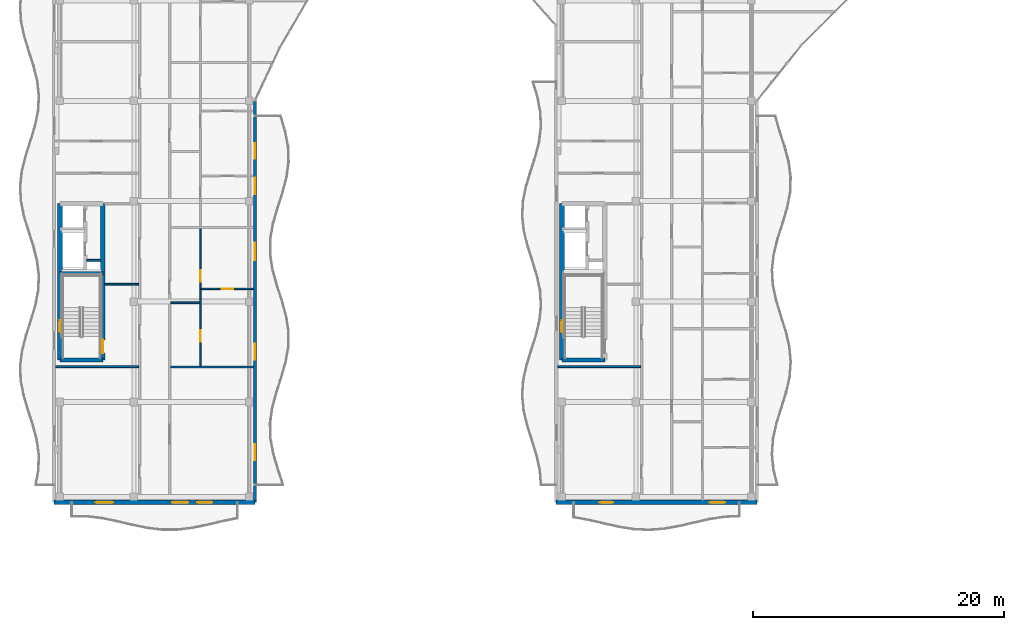
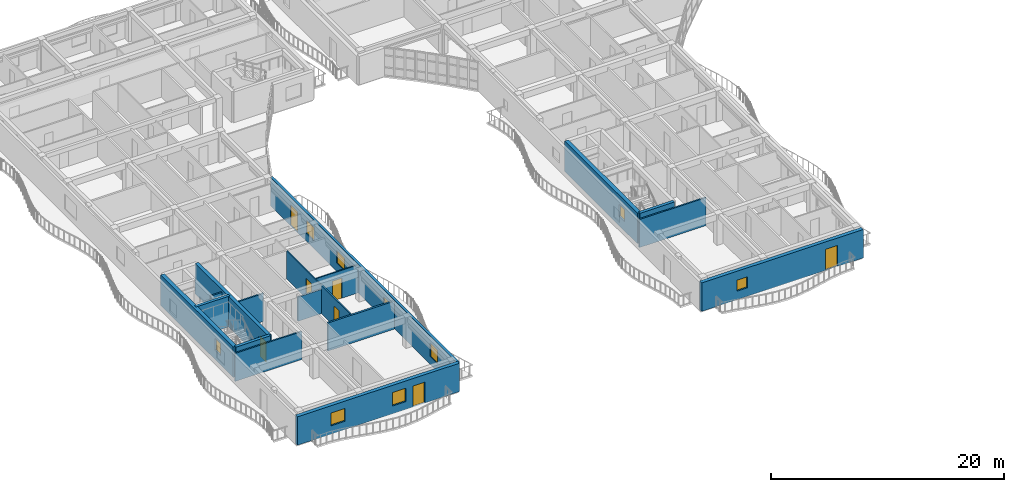
# One storey, part 36 of 79: 17 walls, 9 windows, 7 doors, 16 openings.
"""IFC4 building model written with IfcOpenShell, lengths in metres."""

from ifc_helpers import new_model, si_unit, direction, frame, frame_2d, origin, place, context, subcontext, project, spatial, rectangle, extrude, material, layer, layer_set, type_object, element, fill, save


model = new_model("IFC4")

# Units and contexts
model_context = context("Model", 3, precision=1e-05, world=origin(), true_north=direction((0.0, 1.0)))
body_context = subcontext(model_context, "Body", "Model", "MODEL_VIEW")
ifc_project = project(units=[si_unit("LENGTHUNIT", "METRE"), si_unit("AREAUNIT", "SQUARE_METRE"), si_unit("VOLUMEUNIT", "CUBIC_METRE"), si_unit("PLANEANGLEUNIT", "RADIAN"), si_unit("MASSUNIT", "GRAM", prefix="KILO")], contexts=[model_context])

# Site, building, storey
site_placement = place(None, origin())
site = spatial("IfcSite", under=ifc_project, at=site_placement, CompositionType="ELEMENT")
building_placement = place(site_placement, origin())
building = spatial("IfcBuilding", under=site, at=building_placement, Name="Keldmere Railside Commons", CompositionType="ELEMENT")
storey_placement = place(building_placement, frame((0.0, 0.0, 10.56005859375)))
storey = spatial("IfcBuildingStorey", under=building, at=storey_placement, Name="L03", CompositionType="ELEMENT", Elevation=10.56005859375)

# Wall
ifc_material_1 = material(Name="Acoustic Gypsum Board Partition", Category="gypsum")
ifc_layer_1 = layer(ifc_material_1, 0.179931640625, Name="Acoustic Demising Partition 180")
ifc_layer_set_1 = layer_set([ifc_layer_1], Name="Acoustic Gypsum Board Partition")
wall_type_1 = type_object("IfcWallType", Name="Acoustic Demising Partition 180", PredefinedType="PARTITIONING", material=ifc_layer_set_1)
wall_1_placement = place(storey_placement, frame((17.280029296875, 66.7900390625, 0.0), z_axis=(0.0, 0.0, 1.0), x_axis=(1.0, 0.0, 0.0)))
element("IfcWall", 1, at=wall_1_placement, inside=storey, type_object=wall_type_1, Name="IW-1 IW-L03-0294", PredefinedType="PARTITIONING", context=body_context, shape_type="SweptSolid", body=[
    extrude(rectangle(XDim=6.599853515625, YDim=0.179931640625, at=frame_2d((3.2998046875, 0.0))), origin(), (0.0, 0.0, 1.0), 2.93505859375),
])

# Wall, openings, doors
ifc_layer_2 = layer(ifc_material_1, 0.1201171875, Name="Apartment Interior Partition 120")
ifc_layer_set_2 = layer_set([ifc_layer_2], Name="Acoustic Gypsum Board Partition")
wall_type_2 = type_object("IfcWallType", Name="Apartment Interior Partition 120", PredefinedType="PARTITIONING", material=ifc_layer_set_2)
wall_2_placement = place(storey_placement, frame((19.659912109375, 66.8798828125, 0.0), z_axis=(0.0, 0.0, 1.0), x_axis=(0.0, 1.0, 0.0)))
wall_2 = element("IfcWall", 2, at=wall_2_placement, inside=storey, type_object=wall_type_2, Name="IW-4 IW-L03-0297", PredefinedType="PARTITIONING", context=body_context, shape_type="SweptSolid", body=[
    extrude(rectangle(XDim=10.940185546875, YDim=0.1201171875, at=frame_2d((5.47021484375, 0.0))), origin(), (0.0, 0.0, 1.0), 2.93505859375),
])
opening_1_placement = place(wall_2_placement, frame((1.911376953125, 0.0, 0.0)))
opening_1 = element("IfcOpeningElement", 3, at=opening_1_placement, cuts=wall_2, Name="Opening ID-05", PredefinedType="OPENING", context=body_context, shape_type="SweptSolid", body=[
    extrude(rectangle(XDim=0.93994140625, YDim=2.10009765625, at=frame_2d((0.469970703125, 1.050048828125))), frame((0.0, 0.070068359375, 0.0), z_axis=(0.0, -1.0, 0.0), x_axis=(1.0, 0.0, 0.0)), (0.0, 0.0, 1.0), 0.14013671875),
])
opening_2_placement = place(wall_2_placement, frame((6.684814453125, 0.0, 0.0)))
opening_2 = element("IfcOpeningElement", 4, at=opening_2_placement, cuts=wall_2, Name="Opening ID-03", PredefinedType="OPENING", context=body_context, shape_type="SweptSolid", body=[
    extrude(rectangle(XDim=0.919921875, YDim=2.10009765625, at=frame_2d((0.4599609375, 1.050048828125))), frame((0.0, 0.070068359375, 0.0), z_axis=(0.0, -1.0, 0.0), x_axis=(1.0, 0.0, 0.0)), (0.0, 0.0, 1.0), 0.14013671875),
])
ifc_material_2 = material(Name="Engineered Oak Timber", Category="wood")
door_type_1 = type_object("IfcDoorType", Name="Accessible Bathroom Door 940x2100", OperationType="NOTDEFINED", PredefinedType="DOOR", material=ifc_material_2)
door_1_placement = place(opening_1_placement, origin())
door_1 = element("IfcDoor", 5, at=door_1_placement, inside=storey, type_object=door_type_1, Name="ID-05 IDR-L03-0199", OperationType="SINGLE_SWING_LEFT", OverallHeight=2.10009765625, OverallWidth=0.93994140625, PredefinedType="DOOR", context=body_context, shape_type="SweptSolid", body=[
    extrude(rectangle(XDim=0.93994140625, YDim=2.10009765625, at=frame_2d((0.469970703125, 1.050048828125))), frame((0.0, 0.02490234375, 0.0), z_axis=(0.0, -1.0, 0.0), x_axis=(1.0, 0.0, 0.0)), (0.0, 0.0, 1.0), 0.050048828125),
])
fill(opening_1, door_1)
door_type_2 = type_object("IfcDoorType", Name="Kitchen Pocket-Frame Swing Door 920x2100", OperationType="NOTDEFINED", PredefinedType="DOOR", material=ifc_material_2)
door_2_placement = place(opening_2_placement, origin())
door_2 = element("IfcDoor", 6, at=door_2_placement, inside=storey, type_object=door_type_2, Name="ID-03 IDR-L03-0200", OperationType="SINGLE_SWING_RIGHT", OverallHeight=2.10009765625, OverallWidth=0.919921875, PredefinedType="DOOR", context=body_context, shape_type="SweptSolid", body=[
    extrude(rectangle(XDim=0.919921875, YDim=2.10009765625, at=frame_2d((0.4599609375, 1.050048828125))), frame((0.0, 0.02490234375, 0.0), z_axis=(0.0, -1.0, 0.0), x_axis=(1.0, 0.0, 0.0)), (0.0, 0.0, 1.0), 0.050048828125),
])
fill(opening_2, door_2)

# Wall, opening, door
wall_3_placement = place(storey_placement, frame((19.719970703125, 73.010009765625, 0.0), z_axis=(0.0, 0.0, 1.0), x_axis=(1.0, 0.0, 0.0)))
wall_3 = element("IfcWall", 7, at=wall_3_placement, inside=storey, type_object=wall_type_2, Name="IW-4 IW-L03-0299", PredefinedType="PARTITIONING", context=body_context, shape_type="SweptSolid", body=[
    extrude(rectangle(XDim=4.159912109375, YDim=0.1201171875, at=frame_2d((2.080078125, 0.0))), origin(), (0.0, 0.0, 1.0), 2.93505859375),
])
opening_3_placement = place(wall_3_placement, frame((1.6298828125, 0.0, 0.0)))
opening_3 = element("IfcOpeningElement", 8, at=opening_3_placement, cuts=wall_3, Name="Opening ID-01", PredefinedType="OPENING", context=body_context, shape_type="SweptSolid", body=[
    extrude(rectangle(XDim=0.89990234375, YDim=2.10009765625, at=frame_2d((0.449951171875, 1.050048828125))), frame((0.0, 0.070068359375, 0.0), z_axis=(0.0, -1.0, 0.0), x_axis=(1.0, 0.0, 0.0)), (0.0, 0.0, 1.0), 0.14013671875),
])
door_type_3 = type_object("IfcDoorType", Name="Primary Bedroom Door 900x2100", OperationType="NOTDEFINED", PredefinedType="DOOR", material=ifc_material_2)
door_3_placement = place(opening_3_placement, origin())
door_3 = element("IfcDoor", 9, at=door_3_placement, inside=storey, type_object=door_type_3, Name="ID-01 IDR-L03-0202", OperationType="SINGLE_SWING_RIGHT", OverallHeight=2.10009765625, OverallWidth=0.89990234375, PredefinedType="DOOR", context=body_context, shape_type="SweptSolid", body=[
    extrude(rectangle(XDim=0.89990234375, YDim=2.10009765625, at=frame_2d((0.449951171875, 1.050048828125))), frame((0.0, 0.02490234375, 0.0), z_axis=(0.0, -1.0, 0.0), x_axis=(1.0, 0.0, 0.0)), (0.0, 0.0, 1.0), 0.050048828125),
])
fill(opening_3, door_3)

# Wall
ifc_material_3 = material(Name="Concrete H-35 (C35/45)", Category="concrete")
ifc_layer_3 = layer(ifc_material_3, 0.280029296875, Name="Core Shear Wall 280")
ifc_layer_set_3 = layer_set([ifc_layer_3], Name="Concrete H-35 (C35/45)")
wall_type_3 = type_object("IfcWallType", Name="Core Shear Wall 280", PredefinedType="SHEAR", material=ifc_layer_set_3)
wall_4_placement = place(storey_placement, frame((8.4599609375, 74.239990234375, 0.0), z_axis=(0.0, 0.0, 1.0), x_axis=(1.0, 0.0, 0.0)))
element("IfcWall", 10, at=wall_4_placement, inside=storey, type_object=wall_type_3, Name="CSW-2 COREDM-L03-0067", PredefinedType="SHEAR", context=body_context, shape_type="SweptSolid", body=[
    extrude(rectangle(XDim=3.41015625, YDim=0.280029296875, at=frame_2d((1.705078125, 0.0))), origin(), (0.0, 0.0, 1.0), 3.199951171875),
])

# Wall, opening, window
ifc_material_4 = material(Name="Concrete H-40 (C40/50)", Category="concrete")
ifc_layer_4 = layer(ifc_material_4, 0.3798828125, Name="Core Shear Wall 380")
ifc_layer_set_4 = layer_set([ifc_layer_4], Name="Concrete H-40 (C40/50)")
wall_type_4 = type_object("IfcWallType", Name="Core Shear Wall 380", PredefinedType="SHEAR", material=ifc_layer_set_4)
wall_5_placement = place(storey_placement, frame((8.4599609375, 67.35009765625, 0.0), z_axis=(0.0, 0.0, 1.0), x_axis=(0.0, 1.0, 0.0)))
wall_5 = element("IfcWall", 11, at=wall_5_placement, inside=storey, type_object=wall_type_4, Name="CW-CORE COREDW-L03-0063", PredefinedType="SHEAR", context=body_context, shape_type="SweptSolid", body=[
    extrude(rectangle(XDim=12.449951171875, YDim=0.3798828125, at=frame_2d((6.22509765625, 0.0))), origin(), (0.0, 0.0, 1.0), 3.199951171875),
])
opening_4_placement = place(wall_5_placement, frame((2.199951171875, 0.0, 0.969970703125)))
opening_4 = element("IfcOpeningElement", 12, at=opening_4_placement, cuts=wall_5, Name="Opening WN-17", PredefinedType="OPENING", context=body_context, shape_type="SweptSolid", body=[
    extrude(rectangle(XDim=0.949951171875, YDim=1.25, at=frame_2d((0.47509765625, 0.625))), frame((0.0, 0.199951171875, 0.0), z_axis=(0.0, -1.0, 0.0), x_axis=(1.0, 0.0, 0.0)), (0.0, 0.0, 1.0), 0.39990234375),
])
ifc_material_5 = material(Name="Low-E Insulated Double Glazing", Category="glass")
window_type_1 = type_object("IfcWindowType", Name="Stair Core Natural Smoke-Vent Window 950x1250", PartitioningType="SINGLE_PANEL", PredefinedType="WINDOW", material=ifc_material_5)
window_1_placement = place(opening_4_placement, origin())
window_1 = element("IfcWindow", 13, at=window_1_placement, inside=storey, type_object=window_type_1, Name="WN-17 WIN-L03-0010", OverallHeight=1.25, OverallWidth=0.949951171875, PartitioningType="SINGLE_PANEL", PredefinedType="WINDOW", context=body_context, shape_type="SweptSolid", body=[
    extrude(rectangle(XDim=0.949951171875, YDim=1.25, at=frame_2d((0.47509765625, 0.625))), frame((0.0, 0.030029296875, 0.0), z_axis=(0.0, -1.0, 0.0), x_axis=(1.0, 0.0, 0.0)), (0.0, 0.0, 1.0), 0.06005859375),
])
fill(opening_4, window_1)

wall_6_placement = place(storey_placement, frame((48.4599609375, 67.35009765625, 0.0), z_axis=(0.0, 0.0, 1.0), x_axis=(0.0, 1.0, 0.0)))
wall_6 = element("IfcWall", 14, at=wall_6_placement, inside=storey, type_object=wall_type_4, Name="CW-CORE CORECW-L03-0234", PredefinedType="SHEAR", context=body_context, shape_type="SweptSolid", body=[
    extrude(rectangle(XDim=12.449951171875, YDim=0.3798828125, at=frame_2d((6.22509765625, 0.0))), origin(), (0.0, 0.0, 1.0), 3.199951171875),
])
opening_5_placement = place(wall_6_placement, frame((2.199951171875, 0.0, 0.969970703125)))
opening_5 = element("IfcOpeningElement", 15, at=opening_5_placement, cuts=wall_6, Name="Opening WN-17", PredefinedType="OPENING", context=body_context, shape_type="SweptSolid", body=[
    extrude(rectangle(XDim=0.949951171875, YDim=1.25, at=frame_2d((0.47509765625, 0.625))), frame((0.0, 0.199951171875, 0.0), z_axis=(0.0, -1.0, 0.0), x_axis=(1.0, 0.0, 0.0)), (0.0, 0.0, 1.0), 0.39990234375),
])
window_2_placement = place(opening_5_placement, origin())
window_2 = element("IfcWindow", 16, at=window_2_placement, inside=storey, type_object=window_type_1, Name="WN-17 WIN-L03-0149", OverallHeight=1.25, OverallWidth=0.949951171875, PartitioningType="SINGLE_PANEL", PredefinedType="WINDOW", context=body_context, shape_type="SweptSolid", body=[
    extrude(rectangle(XDim=0.949951171875, YDim=1.25, at=frame_2d((0.47509765625, 0.625))), frame((0.0, 0.030029296875, 0.0), z_axis=(0.0, -1.0, 0.0), x_axis=(1.0, 0.0, 0.0)), (0.0, 0.0, 1.0), 0.06005859375),
])
fill(opening_5, window_2)

# Wall, openings, door, windows
ifc_layer_5 = layer(ifc_material_3, 0.360107421875, Name="Exterior Shear Wall 360")
ifc_layer_set_5 = layer_set([ifc_layer_5], Name="Concrete H-35 (C35/45)")
wall_type_5 = type_object("IfcWallType", Name="Exterior Shear Wall 360", PredefinedType="SHEAR", material=ifc_layer_set_5)
wall_7_placement = place(storey_placement, frame((24.0, 56.0, 0.0), z_axis=(0.0, 0.0, 1.0), x_axis=(-1.0, 0.0, 0.0)))
wall_7 = element("IfcWall", 17, at=wall_7_placement, inside=storey, type_object=wall_type_5, Name="ESW-1 EXTD-L03-0143", PredefinedType="SHEAR", context=body_context, shape_type="SweptSolid", body=[
    extrude(rectangle(XDim=16.0, YDim=0.360107421875, at=frame_2d((8.0, 0.0))), origin(), (0.0, 0.0, 1.0), 2.97998046875),
])
opening_6_placement = place(wall_7_placement, frame((3.39990234375, 0.0, 0.0)))
opening_6 = element("IfcOpeningElement", 18, at=opening_6_placement, cuts=wall_7, Name="Opening BD-01", PredefinedType="OPENING", context=body_context, shape_type="SweptSolid", body=[
    extrude(rectangle(XDim=1.199951171875, YDim=2.199951171875, at=frame_2d((0.60009765625, 1.10009765625))), frame((0.0, 0.18994140625, 0.0), z_axis=(0.0, -1.0, 0.0), x_axis=(1.0, 0.0, 0.0)), (0.0, 0.0, 1.0), 0.380126953125),
])
opening_7_placement = place(wall_7_placement, frame((5.300048828125, 0.0, 0.820068359375)))
opening_7 = element("IfcOpeningElement", 19, at=opening_7_placement, cuts=wall_7, Name="Opening WN-10", PredefinedType="OPENING", context=body_context, shape_type="SweptSolid", body=[
    extrude(rectangle(XDim=1.300048828125, YDim=1.39990234375, at=frame_2d((0.64990234375, 0.699951171875))), frame((0.0, 0.18994140625, 0.0), z_axis=(0.0, -1.0, 0.0), x_axis=(1.0, 0.0, 0.0)), (0.0, 0.0, 1.0), 0.380126953125),
])
opening_8_placement = place(wall_7_placement, frame((11.300048828125, 0.0, 0.8701171875)))
opening_8 = element("IfcOpeningElement", 20, at=opening_8_placement, cuts=wall_7, Name="Opening WN-08", PredefinedType="OPENING", context=body_context, shape_type="SweptSolid", body=[
    extrude(rectangle(XDim=1.39990234375, YDim=1.35009765625, at=frame_2d((0.699951171875, 0.675048828125))), frame((0.0, 0.18994140625, 0.0), z_axis=(0.0, -1.0, 0.0), x_axis=(1.0, 0.0, 0.0)), (0.0, 0.0, 1.0), 0.380126953125),
])
ifc_material_6 = material(Name="Thermally Broken Aluminium", Category="aluminium")
door_type_4 = type_object("IfcDoorType", Name="Apartment Living Wave-Balcony Glazed Door 1200x2200", OperationType="NOTDEFINED", PredefinedType="DOOR", material=ifc_material_6)
door_4_placement = place(opening_6_placement, origin())
door_4 = element("IfcDoor", 21, at=door_4_placement, inside=storey, type_object=door_type_4, Name="BD-01 DR-L03-0019", OperationType="SINGLE_SWING_LEFT", OverallHeight=2.199951171875, OverallWidth=1.199951171875, PredefinedType="DOOR", context=body_context, shape_type="SweptSolid", body=[
    extrude(rectangle(XDim=1.199951171875, YDim=2.199951171875, at=frame_2d((0.60009765625, 1.10009765625))), frame((0.0, 0.02490234375, 0.0), z_axis=(0.0, -1.0, 0.0), x_axis=(1.0, 0.0, 0.0)), (0.0, 0.0, 1.0), 0.050048828125),
])
fill(opening_6, door_4)
window_type_2 = type_object("IfcWindowType", Name="Primary Bedroom East/West Window 1400x1350", PartitioningType="SINGLE_PANEL", PredefinedType="WINDOW", material=ifc_material_5)
window_3_placement = place(opening_8_placement, origin())
window_3 = element("IfcWindow", 22, at=window_3_placement, inside=storey, type_object=window_type_2, Name="WN-08 WIN-L03-0065", OverallHeight=1.35009765625, OverallWidth=1.39990234375, PartitioningType="SINGLE_PANEL", PredefinedType="WINDOW", context=body_context, shape_type="SweptSolid", body=[
    extrude(rectangle(XDim=1.39990234375, YDim=1.35009765625, at=frame_2d((0.699951171875, 0.675048828125))), frame((0.0, 0.030029296875, 0.0), z_axis=(0.0, -1.0, 0.0), x_axis=(1.0, 0.0, 0.0)), (0.0, 0.0, 1.0), 0.06005859375),
])
fill(opening_8, window_3)
window_type_3 = type_object("IfcWindowType", Name="Secondary Bedroom Court Window 1300x1400", PartitioningType="SINGLE_PANEL", PredefinedType="WINDOW", material=ifc_material_5)
window_4_placement = place(opening_7_placement, origin())
window_4 = element("IfcWindow", 23, at=window_4_placement, inside=storey, type_object=window_type_3, Name="WN-10 WIN-L03-0064", OverallHeight=1.39990234375, OverallWidth=1.300048828125, PartitioningType="SINGLE_PANEL", PredefinedType="WINDOW", context=body_context, shape_type="SweptSolid", body=[
    extrude(rectangle(XDim=1.300048828125, YDim=1.39990234375, at=frame_2d((0.64990234375, 0.699951171875))), frame((0.0, 0.030029296875, 0.0), z_axis=(0.0, -1.0, 0.0), x_axis=(1.0, 0.0, 0.0)), (0.0, 0.0, 1.0), 0.06005859375),
])
fill(opening_7, window_4)

# Wall, openings, window, door
wall_8_placement = place(storey_placement, frame((64.0, 56.0, 0.0), z_axis=(0.0, 0.0, 1.0), x_axis=(-1.0, 0.0, 0.0)))
wall_8 = element("IfcWall", 24, at=wall_8_placement, inside=storey, type_object=wall_type_5, Name="ESW-1 EXTC-L03-0344", PredefinedType="SHEAR", context=body_context, shape_type="SweptSolid", body=[
    extrude(rectangle(XDim=16.0, YDim=0.360107421875, at=frame_2d((8.0, 0.0))), origin(), (0.0, 0.0, 1.0), 2.97998046875),
])
opening_9_placement = place(wall_8_placement, frame((2.550048828125, 0.0, 0.0)))
opening_9 = element("IfcOpeningElement", 25, at=opening_9_placement, cuts=wall_8, Name="Opening BD-01", PredefinedType="OPENING", context=body_context, shape_type="SweptSolid", body=[
    extrude(rectangle(XDim=1.199951171875, YDim=2.199951171875, at=frame_2d((0.60009765625, 1.10009765625))), frame((0.0, 0.18994140625, 0.0), z_axis=(0.0, -1.0, 0.0), x_axis=(1.0, 0.0, 0.0)), (0.0, 0.0, 1.0), 0.380126953125),
])
opening_10_placement = place(wall_8_placement, frame((11.47509765625, 0.0, 0.89990234375)))
opening_10 = element("IfcOpeningElement", 26, at=opening_10_placement, cuts=wall_8, Name="Opening WN-13", PredefinedType="OPENING", context=body_context, shape_type="SweptSolid", body=[
    extrude(rectangle(XDim=1.050048828125, YDim=1.14990234375, at=frame_2d((0.52490234375, 0.574951171875))), frame((0.0, 0.18994140625, 0.0), z_axis=(0.0, -1.0, 0.0), x_axis=(1.0, 0.0, 0.0)), (0.0, 0.0, 1.0), 0.380126953125),
])
window_type_4 = type_object("IfcWindowType", Name="Apartment Kitchen Casement Window 1050x1150", PartitioningType="SINGLE_PANEL", PredefinedType="WINDOW", material=ifc_material_5)
window_5_placement = place(opening_10_placement, origin())
window_5 = element("IfcWindow", 27, at=window_5_placement, inside=storey, type_object=window_type_4, Name="WN-13 WIN-L03-0211", OverallHeight=1.14990234375, OverallWidth=1.050048828125, PartitioningType="SINGLE_PANEL", PredefinedType="WINDOW", context=body_context, shape_type="SweptSolid", body=[
    extrude(rectangle(XDim=1.050048828125, YDim=1.14990234375, at=frame_2d((0.52490234375, 0.574951171875))), frame((0.0, 0.030029296875, 0.0), z_axis=(0.0, -1.0, 0.0), x_axis=(1.0, 0.0, 0.0)), (0.0, 0.0, 1.0), 0.06005859375),
])
fill(opening_10, window_5)
door_5_placement = place(opening_9_placement, origin())
door_5 = element("IfcDoor", 28, at=door_5_placement, inside=storey, type_object=door_type_4, Name="BD-01 DR-L03-0069", OperationType="SINGLE_SWING_LEFT", OverallHeight=2.199951171875, OverallWidth=1.199951171875, PredefinedType="DOOR", context=body_context, shape_type="SweptSolid", body=[
    extrude(rectangle(XDim=1.199951171875, YDim=2.199951171875, at=frame_2d((0.60009765625, 1.10009765625))), frame((0.0, 0.02490234375, 0.0), z_axis=(0.0, -1.0, 0.0), x_axis=(1.0, 0.0, 0.0)), (0.0, 0.0, 1.0), 0.050048828125),
])
fill(opening_9, door_5)

# Walls
ifc_layer_6 = layer(ifc_material_3, 0.300048828125, Name="Interior Shear Wall 300")
ifc_layer_set_6 = layer_set([ifc_layer_6], Name="Concrete H-35 (C35/45)")
wall_type_6 = type_object("IfcWallType", Name="Interior Shear Wall 300", PredefinedType="SHEAR", material=ifc_layer_set_6)
for number, where, z_axis, x_axis, name in (
    (29, (11.8701171875, 67.35009765625, 0.0), (0.0, 0.0, 1.0), (-1.0, 0.0, 0.0), "ISW-2 COREDS-L03-0066"),
    (30, (51.8701171875, 67.35009765625, 0.0), (0.0, 0.0, 1.0), (-1.0, 0.0, 0.0), "ISW-2 CORECS-L03-0237"),
):
    element("IfcWall", number, at=place(storey_placement, frame(where, z_axis=z_axis, x_axis=x_axis)), inside=storey, type_object=wall_type_6, Name=name, PredefinedType="SHEAR", context=body_context, shape_type="SweptSolid", body=[
        extrude(rectangle(XDim=3.41015625, YDim=0.300048828125, at=frame_2d((1.705078125, 0.0))), origin(), (0.0, 0.0, 1.0), 3.199951171875),
    ])

# Wall, opening, door
ifc_layer_7 = layer(ifc_material_3, 0.340087890625, Name="Interior Shear Wall 340")
ifc_layer_set_7 = layer_set([ifc_layer_7], Name="Concrete H-35 (C35/45)")
wall_type_7 = type_object("IfcWallType", Name="Interior Shear Wall 340", PredefinedType="SHEAR", material=ifc_layer_set_7)
wall_9_placement = place(storey_placement, frame((11.8701171875, 79.800048828125, 0.0), z_axis=(0.0, 0.0, 1.0), x_axis=(0.0, -1.0, 0.0)))
wall_9 = element("IfcWall", 31, at=wall_9_placement, inside=storey, type_object=wall_type_7, Name="ISW-1 COREDE-L03-0065", PredefinedType="SHEAR", context=body_context, shape_type="SweptSolid", body=[
    extrude(rectangle(XDim=12.449951171875, YDim=0.340087890625, at=frame_2d((6.22509765625, 0.0))), origin(), (0.0, 0.0, 1.0), 3.199951171875),
])
opening_11_placement = place(wall_9_placement, frame((10.85009765625, 0.0, 0.0)))
opening_11 = element("IfcOpeningElement", 32, at=opening_11_placement, cuts=wall_9, Name="Opening FD-1", PredefinedType="OPENING", context=body_context, shape_type="SweptSolid", body=[
    extrude(rectangle(XDim=1.050048828125, YDim=2.14990234375, at=frame_2d((0.52490234375, 1.074951171875))), frame((0.0, 0.179931640625, 0.0), z_axis=(0.0, -1.0, 0.0), x_axis=(1.0, 0.0, 0.0)), (0.0, 0.0, 1.0), 0.360107421875),
])
ifc_material_7 = material(Name="Steel F-24 (S235)", Category="steel")
door_type_5 = type_object("IfcDoorType", Name="Stair Core Fire Door 1050x2150", OperationType="NOTDEFINED", PredefinedType="DOOR", material=ifc_material_7)
door_6_placement = place(opening_11_placement, origin())
door_6 = element("IfcDoor", 33, at=door_6_placement, inside=storey, type_object=door_type_5, Name="FD-1 D1 L03", OperationType="SINGLE_SWING_LEFT", OverallHeight=2.14990234375, OverallWidth=1.050048828125, PredefinedType="DOOR", context=body_context, shape_type="SweptSolid", body=[
    extrude(rectangle(XDim=1.050048828125, YDim=2.14990234375, at=frame_2d((0.52490234375, 1.074951171875))), frame((0.0, 0.02490234375, 0.0), z_axis=(0.0, -1.0, 0.0), x_axis=(1.0, 0.0, 0.0)), (0.0, 0.0, 1.0), 0.050048828125),
])
fill(opening_11, door_6)

# Walls
ifc_layer_8 = layer(ifc_material_1, 0.14990234375, Name="Lobby Rated Partition 150")
ifc_layer_set_8 = layer_set([ifc_layer_8], Name="Acoustic Gypsum Board Partition")
wall_type_8 = type_object("IfcWallType", Name="Lobby Rated Partition 150", PredefinedType="PARTITIONING", material=ifc_layer_set_8)
wall_10_placement = place(storey_placement, frame((10.60009765625, 75.280029296875, 0.0), z_axis=(0.0, 0.0, 1.0), x_axis=(1.0, 0.0, 0.0)))
element("IfcWall", 34, at=wall_10_placement, inside=storey, type_object=wall_type_8, Name="IW-3 RSRND-L03-0070", PredefinedType="PARTITIONING", context=body_context, shape_type="SweptSolid", body=[
    extrude(rectangle(XDim=1.1298828125, YDim=0.14990234375, at=frame_2d((0.56494140625, 0.0))), origin(), (0.0, 0.0, 1.0), 2.949951171875),
])
wall_11_placement = place(storey_placement, frame((8.1201171875, 66.820068359375, 0.0), z_axis=(0.0, 0.0, 1.0), x_axis=(1.0, 0.0, 0.0)))
element("IfcWall", 35, at=wall_11_placement, inside=storey, type_object=wall_type_8, Name="IW-3 IW-L03-0283", PredefinedType="PARTITIONING", context=body_context, shape_type="SweptSolid", body=[
    extrude(rectangle(XDim=6.599853515625, YDim=0.14990234375, at=frame_2d((3.2998046875, 0.0))), origin(), (0.0, 0.0, 1.0), 2.93505859375),
])
wall_12_placement = place(storey_placement, frame((12.0400390625, 73.3798828125, 0.0), z_axis=(0.0, 0.0, 1.0), x_axis=(1.0, 0.0, 0.0)))
element("IfcWall", 36, at=wall_12_placement, inside=storey, type_object=wall_type_8, Name="IW-3 IW-L03-0284", PredefinedType="PARTITIONING", context=body_context, shape_type="SweptSolid", body=[
    extrude(rectangle(XDim=2.679931640625, YDim=0.14990234375, at=frame_2d((1.33984375, 0.0))), origin(), (0.0, 0.0, 1.0), 2.93505859375),
])
wall_13_placement = place(storey_placement, frame((48.1298828125, 66.820068359375, 0.0), z_axis=(0.0, 0.0, 1.0), x_axis=(1.0, 0.0, 0.0)))
element("IfcWall", 37, at=wall_13_placement, inside=storey, type_object=wall_type_8, Name="IW-3 IW-L03-0592", PredefinedType="PARTITIONING", context=body_context, shape_type="SweptSolid", body=[
    extrude(rectangle(XDim=6.590087890625, YDim=0.14990234375, at=frame_2d((3.294921875, 0.0))), origin(), (0.0, 0.0, 1.0), 2.93505859375),
])

# Wall, openings, door, windows
ifc_material_8 = material(Name="Architectural Precast Concrete H-35 (C35/45)", Category="concrete")
ifc_layer_9 = layer(ifc_material_8, 0.239990234375, Name="Sand-Ochre Precast Cavity Wall 240")
ifc_layer_set_9 = layer_set([ifc_layer_9], Name="Architectural Precast Concrete H-35 (C35/45)")
wall_type_9 = type_object("IfcWallType", Name="Sand-Ochre Precast Cavity Wall 240", PredefinedType="SOLIDWALL", material=ifc_layer_set_9)
wall_14_placement = place(storey_placement, frame((24.0, 88.0, 0.0), z_axis=(0.0, 0.0, 1.0), x_axis=(0.0, -1.0, 0.0)))
wall_14 = element("IfcWall", 38, at=wall_14_placement, inside=storey, type_object=wall_type_9, Name="EW-2 EXTD-L03-0144", PredefinedType="SOLIDWALL", context=body_context, shape_type="SweptSolid", body=[
    extrude(rectangle(XDim=32.0, YDim=0.239990234375, at=frame_2d((16.0, 0.0))), origin(), (0.0, 0.0, 1.0), 2.97998046875),
])
opening_12_placement = place(wall_14_placement, frame((3.39990234375, 0.0, 0.0)))
opening_12 = element("IfcOpeningElement", 39, at=opening_12_placement, cuts=wall_14, Name="Opening BD-01", PredefinedType="OPENING", context=body_context, shape_type="SweptSolid", body=[
    extrude(rectangle(XDim=1.199951171875, YDim=2.199951171875, at=frame_2d((0.60009765625, 1.10009765625))), frame((0.0, 0.1298828125, 0.0), z_axis=(0.0, -1.0, 0.0), x_axis=(1.0, 0.0, 0.0)), (0.0, 0.0, 1.0), 0.260009765625),
])
opening_13_placement = place(wall_14_placement, frame((6.14990234375, 0.0, 0.820068359375)))
opening_13 = element("IfcOpeningElement", 40, at=opening_13_placement, cuts=wall_14, Name="Opening WN-10", PredefinedType="OPENING", context=body_context, shape_type="SweptSolid", body=[
    extrude(rectangle(XDim=1.300048828125, YDim=1.39990234375, at=frame_2d((0.64990234375, 0.699951171875))), frame((0.0, 0.1298828125, 0.0), z_axis=(0.0, -1.0, 0.0), x_axis=(1.0, 0.0, 0.0)), (0.0, 0.0, 1.0), 0.260009765625),
])
opening_14_placement = place(wall_14_placement, frame((11.300048828125, 0.0, 0.8701171875)))
opening_14 = element("IfcOpeningElement", 41, at=opening_14_placement, cuts=wall_14, Name="Opening WN-08", PredefinedType="OPENING", context=body_context, shape_type="SweptSolid", body=[
    extrude(rectangle(XDim=1.39990234375, YDim=1.35009765625, at=frame_2d((0.699951171875, 0.675048828125))), frame((0.0, 0.1298828125, 0.0), z_axis=(0.0, -1.0, 0.0), x_axis=(1.0, 0.0, 0.0)), (0.0, 0.0, 1.0), 0.260009765625),
])
opening_15_placement = place(wall_14_placement, frame((19.375, 0.0, 0.8701171875)))
opening_15 = element("IfcOpeningElement", 42, at=opening_15_placement, cuts=wall_14, Name="Opening WN-09", PredefinedType="OPENING", context=body_context, shape_type="SweptSolid", body=[
    extrude(rectangle(XDim=1.25, YDim=1.35009765625, at=frame_2d((0.625, 0.675048828125))), frame((0.0, 0.1298828125, 0.0), z_axis=(0.0, -1.0, 0.0), x_axis=(1.0, 0.0, 0.0)), (0.0, 0.0, 1.0), 0.260009765625),
])
opening_16_placement = place(wall_14_placement, frame((27.35009765625, 0.0, 0.820068359375)))
opening_16 = element("IfcOpeningElement", 43, at=opening_16_placement, cuts=wall_14, Name="Opening WN-10", PredefinedType="OPENING", context=body_context, shape_type="SweptSolid", body=[
    extrude(rectangle(XDim=1.300048828125, YDim=1.39990234375, at=frame_2d((0.64990234375, 0.699951171875))), frame((0.0, 0.1298828125, 0.0), z_axis=(0.0, -1.0, 0.0), x_axis=(1.0, 0.0, 0.0)), (0.0, 0.0, 1.0), 0.260009765625),
])
door_7_placement = place(opening_12_placement, origin())
door_7 = element("IfcDoor", 44, at=door_7_placement, inside=storey, type_object=door_type_4, Name="BD-01 DR-L03-0020", OperationType="SINGLE_SWING_RIGHT", OverallHeight=2.199951171875, OverallWidth=1.199951171875, PredefinedType="DOOR", context=body_context, shape_type="SweptSolid", body=[
    extrude(rectangle(XDim=1.199951171875, YDim=2.199951171875, at=frame_2d((0.60009765625, 1.10009765625))), frame((0.0, 0.02490234375, 0.0), z_axis=(0.0, -1.0, 0.0), x_axis=(1.0, 0.0, 0.0)), (0.0, 0.0, 1.0), 0.050048828125),
])
fill(opening_12, door_7)
window_6_placement = place(opening_14_placement, origin())
window_6 = element("IfcWindow", 45, at=window_6_placement, inside=storey, type_object=window_type_2, Name="WN-08 WIN-L03-0067", OverallHeight=1.35009765625, OverallWidth=1.39990234375, PartitioningType="SINGLE_PANEL", PredefinedType="WINDOW", context=body_context, shape_type="SweptSolid", body=[
    extrude(rectangle(XDim=1.39990234375, YDim=1.35009765625, at=frame_2d((0.699951171875, 0.675048828125))), frame((0.0, 0.030029296875, 0.0), z_axis=(0.0, -1.0, 0.0), x_axis=(1.0, 0.0, 0.0)), (0.0, 0.0, 1.0), 0.06005859375),
])
fill(opening_14, window_6)
window_7_placement = place(opening_13_placement, origin())
window_7 = element("IfcWindow", 46, at=window_7_placement, inside=storey, type_object=window_type_3, Name="WN-10 WIN-L03-0066", OverallHeight=1.39990234375, OverallWidth=1.300048828125, PartitioningType="SINGLE_PANEL", PredefinedType="WINDOW", context=body_context, shape_type="SweptSolid", body=[
    extrude(rectangle(XDim=1.300048828125, YDim=1.39990234375, at=frame_2d((0.64990234375, 0.699951171875))), frame((0.0, 0.030029296875, 0.0), z_axis=(0.0, -1.0, 0.0), x_axis=(1.0, 0.0, 0.0)), (0.0, 0.0, 1.0), 0.06005859375),
])
fill(opening_13, window_7)
window_8_placement = place(opening_16_placement, origin())
window_8 = element("IfcWindow", 47, at=window_8_placement, inside=storey, type_object=window_type_3, Name="WN-10 WIN-L03-0069", OverallHeight=1.39990234375, OverallWidth=1.300048828125, PartitioningType="SINGLE_PANEL", PredefinedType="WINDOW", context=body_context, shape_type="SweptSolid", body=[
    extrude(rectangle(XDim=1.300048828125, YDim=1.39990234375, at=frame_2d((0.64990234375, 0.699951171875))), frame((0.0, 0.030029296875, 0.0), z_axis=(0.0, -1.0, 0.0), x_axis=(1.0, 0.0, 0.0)), (0.0, 0.0, 1.0), 0.06005859375),
])
fill(opening_16, window_8)
window_type_5 = type_object("IfcWindowType", Name="Secondary Bedroom Window 1250x1350", PartitioningType="SINGLE_PANEL", PredefinedType="WINDOW", material=ifc_material_5)
window_9_placement = place(opening_15_placement, origin())
window_9 = element("IfcWindow", 48, at=window_9_placement, inside=storey, type_object=window_type_5, Name="WN-09 WIN-L03-0068", OverallHeight=1.35009765625, OverallWidth=1.25, PartitioningType="SINGLE_PANEL", PredefinedType="WINDOW", context=body_context, shape_type="SweptSolid", body=[
    extrude(rectangle(XDim=1.25, YDim=1.35009765625, at=frame_2d((0.625, 0.675048828125))), frame((0.0, 0.030029296875, 0.0), z_axis=(0.0, -1.0, 0.0), x_axis=(1.0, 0.0, 0.0)), (0.0, 0.0, 1.0), 0.06005859375),
])
fill(opening_15, window_9)

# Wall
ifc_layer_10 = layer(ifc_material_1, 0.139892578125, Name="Wet-Room Sanitary Partition 140")
ifc_layer_set_10 = layer_set([ifc_layer_10], Name="Acoustic Gypsum Board Partition")
wall_type_10 = type_object("IfcWallType", Name="Wet-Room Sanitary Partition 140", PredefinedType="PARTITIONING", material=ifc_layer_set_10)
wall_15_placement = place(storey_placement, frame((17.280029296875, 71.909912109375, 0.0), z_axis=(0.0, 0.0, 1.0), x_axis=(1.0, 0.0, 0.0)))
element("IfcWall", 49, at=wall_15_placement, inside=storey, type_object=wall_type_10, Name="IW-5 IW-L03-0298", PredefinedType="PARTITIONING", context=body_context, shape_type="SweptSolid", body=[
    extrude(rectangle(XDim=2.320068359375, YDim=0.139892578125, at=frame_2d((1.16015625, 0.0))), origin(), (0.0, 0.0, 1.0), 2.530029296875),
])

save(model, "model.ifc")
